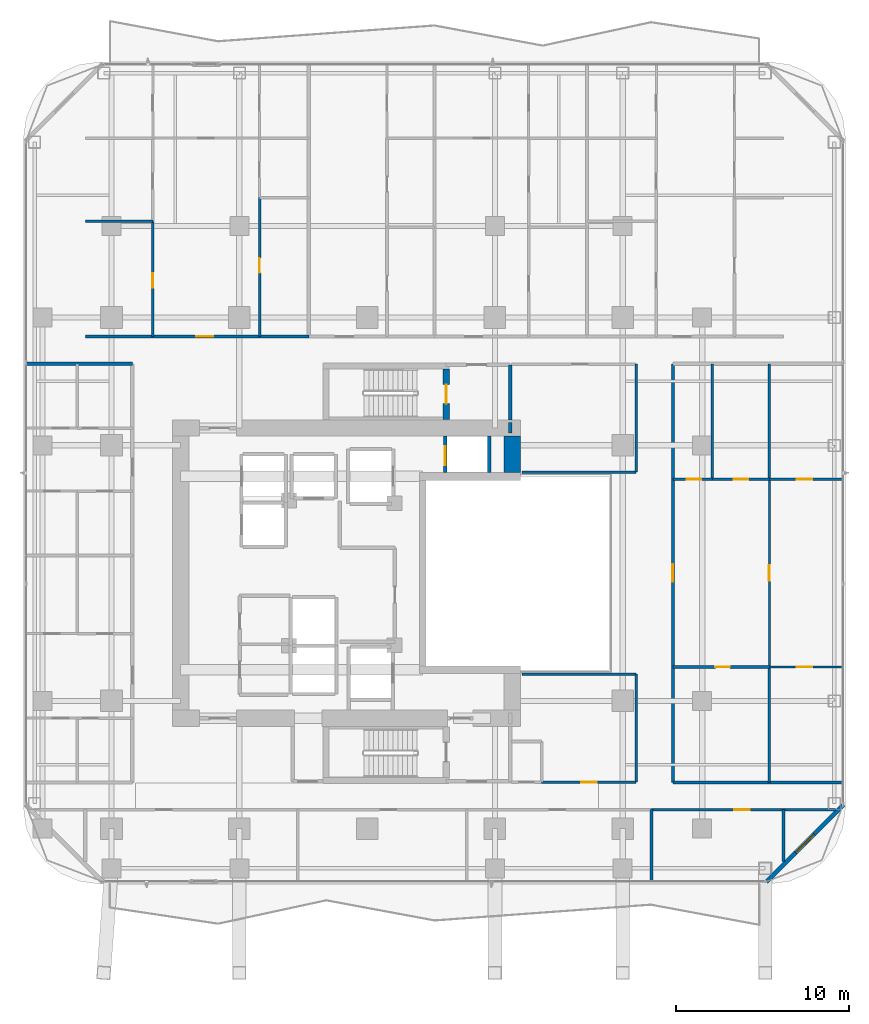
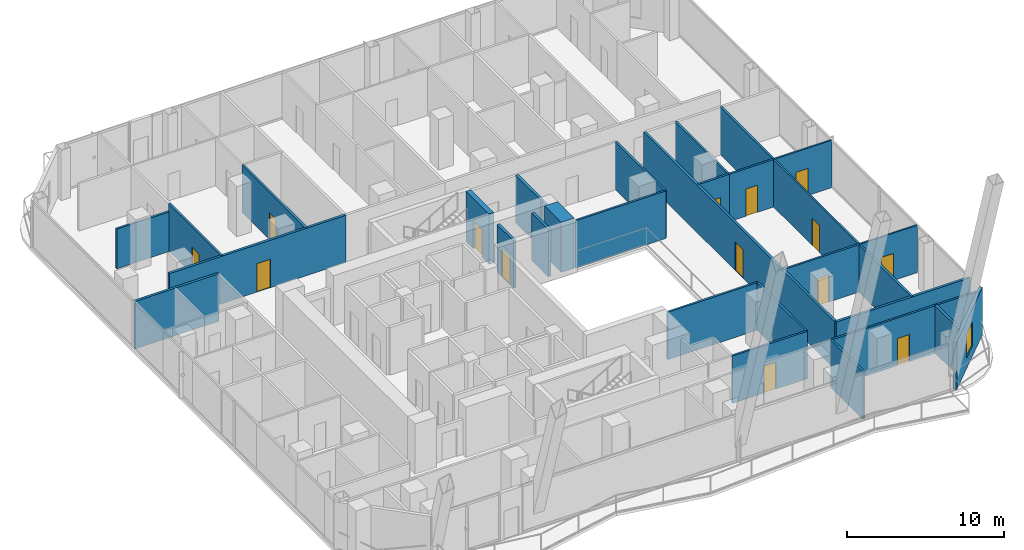
# One storey, part 21 of 30: 31 walls, 14 doors, 1 window, 15 openings.
"""IFC4 building model written with IfcOpenShell, lengths in metres."""

from ifc_helpers import new_model, si_unit, direction, frame, frame_2d, origin, place, context, subcontext, project, spatial, rectangle, extrude, material, layer, layer_set, type_object, element, fill, save


model = new_model("IFC4")

# Units and contexts
model_context = context("Model", 3, precision=1e-05, world=origin(), true_north=direction((0.0, 1.0)))
body_context = subcontext(model_context, "Body", "Model", "MODEL_VIEW")
ifc_project = project(units=[si_unit("LENGTHUNIT", "METRE"), si_unit("AREAUNIT", "SQUARE_METRE"), si_unit("VOLUMEUNIT", "CUBIC_METRE"), si_unit("PLANEANGLEUNIT", "RADIAN"), si_unit("MASSUNIT", "GRAM", prefix="KILO")], contexts=[model_context])

# Site, building, storey
site_placement = place(None, origin())
site = spatial("IfcSite", under=ifc_project, at=site_placement, CompositionType="ELEMENT")
building_placement = place(site_placement, origin())
building = spatial("IfcBuilding", under=site, at=building_placement, Name="Khorvyn Point Tower", CompositionType="ELEMENT")
storey_placement = place(building_placement, frame((0.0, 0.0, 117.300048828125)))
storey = spatial("IfcBuildingStorey", under=building, at=storey_placement, Name="L29", CompositionType="ELEMENT", Elevation=117.300048828125)

# Wall, opening, door
ifc_material_1 = material(Name="Double acoustic gypsum on twin steel stud", Category="steel")
ifc_layer_1 = layer(ifc_material_1, 0.179931640625)
ifc_layer_set_1 = layer_set([ifc_layer_1], Name="Acoustic Double-Stud Apartment Demising Wall 180")
wall_type_1 = type_object("IfcWallType", Name="Acoustic Double-Stud Apartment Demising Wall 180", PredefinedType="PARTITIONING", material=ifc_layer_set_1)
wall_1_placement = place(storey_placement, frame((-16.320068359375, 13.699951171875, 0.0), z_axis=(0.0, 0.0, 1.0), x_axis=(1.0, 0.0, 0.0)))
wall_1 = element("IfcWall", 1, at=wall_1_placement, inside=storey, type_object=wall_type_1, Name="Wall", PredefinedType="PARTITIONING", context=body_context, shape_type="SweptSolid", body=[
    extrude(rectangle(XDim=12.941162109375, YDim=0.179931640625, at=frame_2d((6.470703125, 0.0))), origin(), (0.0, 0.0, 1.0), 3.679931640625),
])
opening_1_placement = place(wall_1_placement, frame((6.41748046875, 0.0, 0.0)))
opening_1 = element("IfcOpeningElement", 2, at=opening_1_placement, cuts=wall_1, Name="Opening ID-AP60", PredefinedType="OPENING", context=body_context, shape_type="SweptSolid", body=[
    extrude(rectangle(XDim=1.0, YDim=2.199951171875, at=frame_2d((0.5, 1.10009765625))), frame((0.0, 0.099853515625, 0.0), z_axis=(0.0, -1.0, 0.0), x_axis=(1.0, 0.0, 0.0)), (0.0, 0.0, 1.0), 0.199951171875),
])
ifc_material_2 = material(Name="Engineered hardwood fire-rated leaf", Category="wood")
door_type_1 = type_object("IfcDoorType", Name="Acoustic Solid-Core Timber Apartment Entrance Door 1000x2200", OperationType="NOTDEFINED", PredefinedType="DOOR", material=ifc_material_2)
door_1_placement = place(opening_1_placement, origin())
door_1 = element("IfcDoor", 3, at=door_1_placement, inside=storey, type_object=door_type_1, Name="Door", OperationType="SINGLE_SWING_LEFT", OverallHeight=2.199951171875, OverallWidth=1.0, PredefinedType="DOOR", context=body_context, shape_type="SweptSolid", body=[
    extrude(rectangle(XDim=1.0, YDim=2.199951171875, at=frame_2d((0.5, 1.10009765625))), frame((0.0, 0.02490234375, 0.0), z_axis=(0.0, -1.0, 0.0), x_axis=(1.0, 0.0, 0.0)), (0.0, 0.0, 1.0), 0.050048828125),
])
fill(opening_1, door_1)

wall_2_placement = place(storey_placement, frame((17.699951171875, -12.1201171875, 0.0), z_axis=(0.0, 0.0, 1.0), x_axis=(0.0, 1.0, 0.0)))
wall_2 = element("IfcWall", 4, at=wall_2_placement, inside=storey, type_object=wall_type_1, Name="Wall", PredefinedType="PARTITIONING", context=body_context, shape_type="SweptSolid", body=[
    extrude(rectangle(XDim=24.240234375, YDim=0.179931640625, at=frame_2d((12.1201171875, 0.0))), origin(), (0.0, 0.0, 1.0), 3.679931640625),
])
opening_2_placement = place(wall_2_placement, frame((11.6201171875, 0.0, 0.0)))
opening_2 = element("IfcOpeningElement", 5, at=opening_2_placement, cuts=wall_2, Name="Opening ID-AP60", PredefinedType="OPENING", context=body_context, shape_type="SweptSolid", body=[
    extrude(rectangle(XDim=1.0, YDim=2.199951171875, at=frame_2d((0.5, 1.10009765625))), frame((0.0, 0.099853515625, 0.0), z_axis=(0.0, -1.0, 0.0), x_axis=(1.0, 0.0, 0.0)), (0.0, 0.0, 1.0), 0.199951171875),
])
door_2_placement = place(opening_2_placement, origin())
door_2 = element("IfcDoor", 6, at=door_2_placement, inside=storey, type_object=door_type_1, Name="Door", OperationType="SINGLE_SWING_LEFT", OverallHeight=2.199951171875, OverallWidth=1.0, PredefinedType="DOOR", context=body_context, shape_type="SweptSolid", body=[
    extrude(rectangle(XDim=1.0, YDim=2.199951171875, at=frame_2d((0.5, 1.10009765625))), frame((0.0, 0.02490234375, 0.0), z_axis=(0.0, -1.0, 0.0), x_axis=(1.0, 0.0, 0.0)), (0.0, 0.0, 1.0), 0.050048828125),
])
fill(opening_2, door_2)

# Walls
wall_3_placement = place(storey_placement, frame((24.1201171875, -16.7099609375, 0.0), z_axis=(0.0, 0.0, 1.0), x_axis=(0.0, 1.0, 0.0)))
element("IfcWall", 7, at=wall_3_placement, inside=storey, type_object=wall_type_1, Name="Wall", PredefinedType="PARTITIONING", context=body_context, shape_type="SweptSolid", body=[
    extrude(rectangle(XDim=3.010009765625, YDim=0.179931640625, at=frame_2d((1.5048828125, 0.0))), origin(), (0.0, 0.0, 1.0), 3.679931640625),
])
wall_4_placement = place(storey_placement, frame((-19.72998046875, 12.1201171875, 0.0), z_axis=(0.0, 0.0, 1.0), x_axis=(1.0, 0.0, 0.0)))
element("IfcWall", 8, at=wall_4_placement, inside=storey, type_object=wall_type_1, Name="Wall", PredefinedType="PARTITIONING", context=body_context, shape_type="SweptSolid", body=[
    extrude(rectangle(XDim=6.1298828125, YDim=0.179931640625, at=frame_2d((3.06494140625, 0.0))), origin(), (0.0, 0.0, 1.0), 3.679931640625),
])
wall_5_placement = place(storey_placement, frame((17.699951171875, -12.1201171875, 0.0), z_axis=(0.0, 0.0, 1.0), x_axis=(1.0, 0.0, 0.0)))
element("IfcWall", 9, at=wall_5_placement, inside=storey, type_object=wall_type_1, Name="Wall", PredefinedType="PARTITIONING", context=body_context, shape_type="SweptSolid", body=[
    extrude(rectangle(XDim=9.830078125, YDim=0.179931640625, at=frame_2d((4.9150390625, 0.0))), origin(), (0.0, 0.0, 1.0), 3.679931640625),
])

# Wall, opening, window
ifc_material_3 = material(Name="Pale anodised aluminium rainscreen on steel stud", Category="steel")
ifc_layer_2 = layer(ifc_material_3, 0.239990234375)
ifc_layer_set_2 = layer_set([ifc_layer_2], Name="Anodised Aluminium Insulated Corner Spandrel Wall 240")
wall_type_2 = type_object("IfcWallType", Name="Anodised Aluminium Insulated Corner Spandrel Wall 240", PredefinedType="SOLIDWALL", material=ifc_layer_set_2)
wall_6_placement = place(storey_placement, frame((27.59228515625, -13.40771484375, 0.0), z_axis=(0.0, 0.0, 1.0), x_axis=(-0.707106781187, -0.707106781187, 0.0)))
wall_6 = element("IfcWall", 10, at=wall_6_placement, inside=storey, type_object=wall_type_2, Name="L29 Rounded Corner Wall SE", PredefinedType="SOLIDWALL", context=body_context, shape_type="SweptSolid", body=[
    extrude(rectangle(XDim=6.34228515625, YDim=0.239990234375, at=frame_2d((3.171142578125, 0.0))), origin(), (0.0, 0.0, 1.0), 3.679931640625),
])
opening_3_placement = place(wall_6_placement, frame((2.42138671875, 0.0, 0.800048828125)))
opening_3 = element("IfcOpeningElement", 11, at=opening_3_placement, cuts=wall_6, Name="Opening WN-1518", PredefinedType="OPENING", context=body_context, shape_type="SweptSolid", body=[
    extrude(rectangle(XDim=1.5, YDim=1.85009765625, at=frame_2d((0.75, 0.925048828125))), frame((0.0, 0.1298828125, 0.0), z_axis=(0.0, -1.0, 0.0), x_axis=(1.0, 0.0, 0.0)), (0.0, 0.0, 1.0), 0.260009765625),
])
ifc_material_4 = material(Name="Anodised aluminium 6063-T6 and laminated Low-E glass", Category="aluminium")
window_type = type_object("IfcWindowType", Name="Anodised Aluminium Rounded-Corner Panoramic Window 1500x1850", PartitioningType="SINGLE_PANEL", PredefinedType="WINDOW", material=ifc_material_4)
window_placement = place(opening_3_placement, origin())
window = element("IfcWindow", 12, at=window_placement, inside=storey, type_object=window_type, Name="L29 Corner Panoramic Window SE", OverallHeight=1.85009765625, OverallWidth=1.5, PartitioningType="SINGLE_PANEL", PredefinedType="WINDOW", context=body_context, shape_type="SweptSolid", body=[
    extrude(rectangle(XDim=1.5, YDim=1.85009765625, at=frame_2d((0.75, 0.925048828125))), frame((0.0, 0.030029296875, 0.0), z_axis=(0.0, -1.0, 0.0), x_axis=(1.0, 0.0, 0.0)), (0.0, 0.0, 1.0), 0.06005859375),
])
fill(opening_3, window)

# Walls
ifc_material_5 = material(Name="Concrete C40/50", Category="concrete")
ifc_layer_3 = layer(ifc_material_5, 0.199951171875)
ifc_layer_set_3 = layer_set([ifc_layer_3], Name="Concrete C40/50 Fire-Lobby Compartment Wall 200")
wall_type_3 = type_object("IfcWallType", Name="Concrete C40/50 Fire-Lobby Compartment Wall 200", PredefinedType="SOLIDWALL", material=ifc_layer_set_3)
wall_7_placement = place(storey_placement, frame((8.280029296875, 8.875, 0.0), z_axis=(0.0, 0.0, 1.0), x_axis=(0.0, 1.0, 0.0)))
element("IfcWall", 13, at=wall_7_placement, inside=storey, type_object=wall_type_3, Name="Wall", PredefinedType="SOLIDWALL", context=body_context, shape_type="SweptSolid", body=[
    extrude(rectangle(XDim=3.18505859375, YDim=0.199951171875, at=frame_2d((1.592529296875, 0.0))), origin(), (0.0, 0.0, 1.0), 3.679931640625),
])
wall_8_placement = place(storey_placement, frame((8.280029296875, 8.10009765625, 0.0), z_axis=(0.0, 0.0, 1.0), x_axis=(0.0, 1.0, 0.0)))
element("IfcWall", 14, at=wall_8_placement, inside=storey, type_object=wall_type_3, Name="Wall", PredefinedType="SOLIDWALL", context=body_context, shape_type="SweptSolid", body=[
    extrude(rectangle(XDim=0.625, YDim=0.199951171875, at=frame_2d((0.3125, 0.0))), origin(), (0.0, 0.0, 1.0), 3.679931640625),
])

# Wall, opening, door
ifc_layer_4 = layer(ifc_material_5, 0.35009765625)
ifc_layer_set_4 = layer_set([ifc_layer_4], Name="Concrete C40/50 Stair Shaft Structural Wall 350")
wall_type_4 = type_object("IfcWallType", Name="Concrete C40/50 Stair Shaft Structural Wall 350", PredefinedType="SHEAR", material=ifc_layer_set_4)
wall_9_placement = place(storey_placement, frame((4.580078125, 11.824951171875, 0.0), z_axis=(0.0, 0.0, 1.0), x_axis=(0.0, -1.0, 0.0)))
wall_9 = element("IfcWall", 15, at=wall_9_placement, inside=storey, type_object=wall_type_4, Name="L29 ST-02 East Landing Door Wall", PredefinedType="SHEAR", context=body_context, shape_type="SweptSolid", body=[
    extrude(rectangle(XDim=2.925048828125, YDim=0.35009765625, at=frame_2d((1.46240234375, 0.0))), origin(), (0.0, 0.0, 1.0), 3.89990234375),
])
opening_4_placement = place(wall_9_placement, frame((0.91259765625, 0.0, 0.0)))
opening_4 = element("IfcOpeningElement", 16, at=opening_4_placement, cuts=wall_9, Name="Opening ID-FL90", PredefinedType="OPENING", context=body_context, shape_type="SweptSolid", body=[
    extrude(rectangle(XDim=1.10009765625, YDim=2.14990234375, at=frame_2d((0.550048828125, 1.074951171875))), frame((0.0, 0.18505859375, 0.0), z_axis=(0.0, -1.0, 0.0), x_axis=(1.0, 0.0, 0.0)), (0.0, 0.0, 1.0), 0.3701171875),
])
ifc_material_6 = material(Name="Galvanised powder-coated steel", Category="steel")
door_type_2 = type_object("IfcDoorType", Name="Fire-Rated Steel Lobby and Stair Door 1100x2150", OperationType="NOTDEFINED", PredefinedType="DOOR", material=ifc_material_6)
door_3_placement = place(opening_4_placement, origin())
door_3 = element("IfcDoor", 17, at=door_3_placement, inside=storey, type_object=door_type_2, Name="L29 ST-02 Smokeproof Landing Door", OperationType="SINGLE_SWING_RIGHT", OverallHeight=2.14990234375, OverallWidth=1.10009765625, PredefinedType="DOOR", context=body_context, shape_type="SweptSolid", body=[
    extrude(rectangle(XDim=1.10009765625, YDim=2.14990234375, at=frame_2d((0.550048828125, 1.074951171875))), frame((0.0, 0.02490234375, 0.0), z_axis=(0.0, -1.0, 0.0), x_axis=(1.0, 0.0, 0.0)), (0.0, 0.0, 1.0), 0.050048828125),
])
fill(opening_4, door_3)

ifc_layer_5 = layer(ifc_material_5, 0.199951171875)
ifc_layer_set_5 = layer_set([ifc_layer_5], Name="Concrete C40/50 Structural Hoistway and Stair Shaft Wall 200")
wall_type_5 = type_object("IfcWallType", Name="Concrete C40/50 Structural Hoistway and Stair Shaft Wall 200", PredefinedType="SHEAR", material=ifc_layer_set_5)
wall_10_placement = place(storey_placement, frame((4.52490234375, 5.824951171875, 0.0), z_axis=(0.0, 0.0, 1.0), x_axis=(0.0, 1.0, 0.0)))
wall_10 = element("IfcWall", 18, at=wall_10_placement, inside=storey, type_object=wall_type_5, Name="Wall", PredefinedType="SHEAR", context=body_context, shape_type="SweptSolid", body=[
    extrude(rectangle(XDim=2.10009765625, YDim=0.199951171875, at=frame_2d((1.050048828125, 0.0))), origin(), (0.0, 0.0, 1.0), 3.679931640625),
])
opening_5_placement = place(wall_10_placement, frame((0.425048828125, 0.0, 0.0)))
opening_5 = element("IfcOpeningElement", 19, at=opening_5_placement, cuts=wall_10, Name="Opening LD-1122", PredefinedType="OPENING", context=body_context, shape_type="SweptSolid", body=[
    extrude(rectangle(XDim=1.10009765625, YDim=2.199951171875, at=frame_2d((0.550048828125, 1.10009765625))), frame((0.0, 0.10986328125, 0.0), z_axis=(0.0, -1.0, 0.0), x_axis=(1.0, 0.0, 0.0)), (0.0, 0.0, 1.0), 0.219970703125),
])
ifc_material_7 = material(Name="Stainless steel 1.4301", Category="steel")
door_type_3 = type_object("IfcDoorType", Name="Stainless Steel Automatic Sliding Lift Landing Door 1100x2200", OperationType="SLIDING_TO_LEFT", PredefinedType="DOOR", material=ifc_material_7)
door_4_placement = place(opening_5_placement, origin())
door_4 = element("IfcDoor", 20, at=door_4_placement, inside=storey, type_object=door_type_3, Name="L29 FF-02 Sliding Lift Landing Door", OperationType="SLIDING_TO_LEFT", OverallHeight=2.199951171875, OverallWidth=1.10009765625, PredefinedType="DOOR", context=body_context, shape_type="SweptSolid", body=[
    extrude(rectangle(XDim=1.10009765625, YDim=2.199951171875, at=frame_2d((0.550048828125, 1.10009765625))), frame((0.0, 0.02490234375, 0.0), z_axis=(0.0, -1.0, 0.0), x_axis=(1.0, 0.0, 0.0)), (0.0, 0.0, 1.0), 0.050048828125),
])
fill(opening_5, door_4)

# Walls
wall_11_placement = place(storey_placement, frame((7.074951171875, 5.824951171875, 0.0), z_axis=(0.0, 0.0, 1.0), x_axis=(0.0, 1.0, 0.0)))
element("IfcWall", 21, at=wall_11_placement, inside=storey, type_object=wall_type_5, Name="Wall", PredefinedType="SHEAR", context=body_context, shape_type="SweptSolid", body=[
    extrude(rectangle(XDim=2.10009765625, YDim=0.199951171875, at=frame_2d((1.050048828125, 0.0))), origin(), (0.0, 0.0, 1.0), 3.679931640625),
])
ifc_material_8 = material(Name="Concrete C50/60", Category="concrete")
ifc_layer_6 = layer(ifc_material_8, 0.949951171875)
ifc_layer_set_6 = layer_set([ifc_layer_6], Name="Concrete C50/60 Core Shear Wall 950")
wall_type_6 = type_object("IfcWallType", Name="Concrete C50/60 Core Shear Wall 950", PredefinedType="SHEAR", material=ifc_layer_set_6)
wall_12_placement = place(storey_placement, frame((8.39990234375, 5.824951171875, 0.0), z_axis=(0.0, 0.0, 1.0), x_axis=(0.0, 1.0, 0.0)))
element("IfcWall", 22, at=wall_12_placement, inside=storey, type_object=wall_type_6, Name="Wall", PredefinedType="SHEAR", context=body_context, shape_type="SweptSolid", body=[
    extrude(rectangle(XDim=2.10009765625, YDim=0.949951171875, at=frame_2d((1.050048828125, 0.0))), origin(), (0.0, 0.0, 1.0), 3.89990234375),
])

# Wall, opening, door
ifc_material_9 = material(Name="Gypsum plasterboard on steel stud", Category="steel")
ifc_layer_7 = layer(ifc_material_9, 0.1201171875)
ifc_layer_set_7 = layer_set([ifc_layer_7], Name="Gypsum Acoustic Stud Room Partition Wall 120")
wall_type_7 = type_object("IfcWallType", Name="Gypsum Acoustic Stud Room Partition Wall 120", PredefinedType="PARTITIONING", material=ifc_layer_set_7)
wall_13_placement = place(storey_placement, frame((23.2900390625, -5.43603515625, 0.0), z_axis=(0.0, 0.0, 1.0), x_axis=(0.0, 1.0, 0.0)))
wall_13 = element("IfcWall", 23, at=wall_13_placement, inside=storey, type_object=wall_type_7, Name="Wall", PredefinedType="PARTITIONING", context=body_context, shape_type="SweptSolid", body=[
    extrude(rectangle(XDim=10.8720703125, YDim=0.1201171875, at=frame_2d((5.43603515625, 0.0))), origin(), (0.0, 0.0, 1.0), 3.679931640625),
])
opening_6_placement = place(wall_13_placement, frame((4.986083984375, 0.0, 0.0)))
opening_6 = element("IfcOpeningElement", 24, at=opening_6_placement, cuts=wall_13, Name="Opening ID-RM90", PredefinedType="OPENING", context=body_context, shape_type="SweptSolid", body=[
    extrude(rectangle(XDim=0.89990234375, YDim=2.10009765625, at=frame_2d((0.449951171875, 1.050048828125))), frame((0.0, 0.070068359375, 0.0), z_axis=(0.0, -1.0, 0.0), x_axis=(1.0, 0.0, 0.0)), (0.0, 0.0, 1.0), 0.14013671875),
])
ifc_material_10 = material(Name="Engineered oak veneer timber", Category="wood")
door_type_4 = type_object("IfcDoorType", Name="Flush Engineered Timber Room Door 900x2100", OperationType="NOTDEFINED", PredefinedType="DOOR", material=ifc_material_10)
door_5_placement = place(opening_6_placement, origin())
door_5 = element("IfcDoor", 25, at=door_5_placement, inside=storey, type_object=door_type_4, Name="Door", OperationType="SINGLE_SWING_RIGHT", OverallHeight=2.10009765625, OverallWidth=0.89990234375, PredefinedType="DOOR", context=body_context, shape_type="SweptSolid", body=[
    extrude(rectangle(XDim=0.89990234375, YDim=2.10009765625, at=frame_2d((0.449951171875, 1.050048828125))), frame((0.0, 0.02490234375, 0.0), z_axis=(0.0, -1.0, 0.0), x_axis=(1.0, 0.0, 0.0)), (0.0, 0.0, 1.0), 0.050048828125),
])
fill(opening_6, door_5)

wall_14_placement = place(storey_placement, frame((23.2900390625, -5.43603515625, 0.0), z_axis=(0.0, 0.0, 1.0), x_axis=(1.0, 0.0, 0.0)))
wall_14 = element("IfcWall", 26, at=wall_14_placement, inside=storey, type_object=wall_type_7, Name="Wall", PredefinedType="PARTITIONING", context=body_context, shape_type="SweptSolid", body=[
    extrude(rectangle(XDim=4.239990234375, YDim=0.1201171875, at=frame_2d((2.1201171875, 0.0))), origin(), (0.0, 0.0, 1.0), 3.679931640625),
])
opening_7_placement = place(wall_14_placement, frame((1.581298828125, 0.0, 0.0)))
opening_7 = element("IfcOpeningElement", 27, at=opening_7_placement, cuts=wall_14, Name="Opening ID-RM90", PredefinedType="OPENING", context=body_context, shape_type="SweptSolid", body=[
    extrude(rectangle(XDim=0.89990234375, YDim=2.10009765625, at=frame_2d((0.449951171875, 1.050048828125))), frame((0.0, 0.070068359375, 0.0), z_axis=(0.0, -1.0, 0.0), x_axis=(1.0, 0.0, 0.0)), (0.0, 0.0, 1.0), 0.14013671875),
])
door_6_placement = place(opening_7_placement, origin())
door_6 = element("IfcDoor", 28, at=door_6_placement, inside=storey, type_object=door_type_4, Name="Door", OperationType="SINGLE_SWING_RIGHT", OverallHeight=2.10009765625, OverallWidth=0.89990234375, PredefinedType="DOOR", context=body_context, shape_type="SweptSolid", body=[
    extrude(rectangle(XDim=0.89990234375, YDim=2.10009765625, at=frame_2d((0.449951171875, 1.050048828125))), frame((0.0, 0.02490234375, 0.0), z_axis=(0.0, -1.0, 0.0), x_axis=(1.0, 0.0, 0.0)), (0.0, 0.0, 1.0), 0.050048828125),
])
fill(opening_7, door_6)

wall_15_placement = place(storey_placement, frame((23.2900390625, 5.43603515625, 0.0), z_axis=(0.0, 0.0, 1.0), x_axis=(1.0, 0.0, 0.0)))
wall_15 = element("IfcWall", 29, at=wall_15_placement, inside=storey, type_object=wall_type_7, Name="Wall", PredefinedType="PARTITIONING", context=body_context, shape_type="SweptSolid", body=[
    extrude(rectangle(XDim=4.239990234375, YDim=0.1201171875, at=frame_2d((2.1201171875, 0.0))), origin(), (0.0, 0.0, 1.0), 3.679931640625),
])
opening_8_placement = place(wall_15_placement, frame((1.581298828125, 0.0, 0.0)))
opening_8 = element("IfcOpeningElement", 30, at=opening_8_placement, cuts=wall_15, Name="Opening ID-RM90", PredefinedType="OPENING", context=body_context, shape_type="SweptSolid", body=[
    extrude(rectangle(XDim=0.89990234375, YDim=2.10009765625, at=frame_2d((0.449951171875, 1.050048828125))), frame((0.0, 0.070068359375, 0.0), z_axis=(0.0, -1.0, 0.0), x_axis=(1.0, 0.0, 0.0)), (0.0, 0.0, 1.0), 0.14013671875),
])
door_7_placement = place(opening_8_placement, origin())
door_7 = element("IfcDoor", 31, at=door_7_placement, inside=storey, type_object=door_type_4, Name="Door", OperationType="SINGLE_SWING_LEFT", OverallHeight=2.10009765625, OverallWidth=0.89990234375, PredefinedType="DOOR", context=body_context, shape_type="SweptSolid", body=[
    extrude(rectangle(XDim=0.89990234375, YDim=2.10009765625, at=frame_2d((0.449951171875, 1.050048828125))), frame((0.0, 0.02490234375, 0.0), z_axis=(0.0, -1.0, 0.0), x_axis=(1.0, 0.0, 0.0)), (0.0, 0.0, 1.0), 0.050048828125),
])
fill(opening_8, door_7)

ifc_material_11 = material(Name="Moisture-resistant gypsum and cement board", Category="gypsum")
ifc_layer_8 = layer(ifc_material_11, 0.14990234375)
ifc_layer_set_8 = layer_set([ifc_layer_8], Name="Moisture-Resistant Wet-Room Partition Wall 150")
wall_type_8 = type_object("IfcWallType", Name="Moisture-Resistant Wet-Room Partition Wall 150", PredefinedType="PARTITIONING", material=ifc_layer_set_8)
wall_16_placement = place(storey_placement, frame((10.10009765625, -12.10009765625, 0.0), z_axis=(0.0, 0.0, 1.0), x_axis=(1.0, 0.0, 0.0)))
wall_16 = element("IfcWall", 32, at=wall_16_placement, inside=storey, type_object=wall_type_8, Name="Wall", PredefinedType="PARTITIONING", context=body_context, shape_type="SweptSolid", body=[
    extrude(rectangle(XDim=5.47998046875, YDim=0.14990234375, at=frame_2d((2.739990234375, 0.0))), origin(), (0.0, 0.0, 1.0), 3.679931640625),
])
opening_9_placement = place(wall_16_placement, frame((2.2900390625, 0.0, 0.0)))
opening_9 = element("IfcOpeningElement", 33, at=opening_9_placement, cuts=wall_16, Name="Opening ID-RM90", PredefinedType="OPENING", context=body_context, shape_type="SweptSolid", body=[
    extrude(rectangle(XDim=0.89990234375, YDim=2.10009765625, at=frame_2d((0.449951171875, 1.050048828125))), frame((0.0, 0.0849609375, 0.0), z_axis=(0.0, -1.0, 0.0), x_axis=(1.0, 0.0, 0.0)), (0.0, 0.0, 1.0), 0.169921875),
])
door_8_placement = place(opening_9_placement, origin())
door_8 = element("IfcDoor", 34, at=door_8_placement, inside=storey, type_object=door_type_4, Name="Door", OperationType="SINGLE_SWING_LEFT", OverallHeight=2.10009765625, OverallWidth=0.89990234375, PredefinedType="DOOR", context=body_context, shape_type="SweptSolid", body=[
    extrude(rectangle(XDim=0.89990234375, YDim=2.10009765625, at=frame_2d((0.449951171875, 1.050048828125))), frame((0.0, 0.02490234375, 0.0), z_axis=(0.0, -1.0, 0.0), x_axis=(1.0, 0.0, 0.0)), (0.0, 0.0, 1.0), 0.050048828125),
])
fill(opening_9, door_8)

wall_17_placement = place(storey_placement, frame((-12.407958984375, 13.699951171875, 0.0), z_axis=(0.0, 0.0, 1.0), x_axis=(0.0, 1.0, 0.0)))
wall_17 = element("IfcWall", 35, at=wall_17_placement, inside=storey, type_object=wall_type_8, Name="Wall", PredefinedType="PARTITIONING", context=body_context, shape_type="SweptSolid", body=[
    extrude(rectangle(XDim=6.6640625, YDim=0.14990234375, at=frame_2d((3.33203125, 0.0))), origin(), (0.0, 0.0, 1.0), 3.679931640625),
])
opening_10_placement = place(wall_17_placement, frame((2.818359375, 0.0, 0.0)))
opening_10 = element("IfcOpeningElement", 36, at=opening_10_placement, cuts=wall_17, Name="Opening ID-WC85", PredefinedType="OPENING", context=body_context, shape_type="SweptSolid", body=[
    extrude(rectangle(XDim=0.85009765625, YDim=2.10009765625, at=frame_2d((0.425048828125, 1.050048828125))), frame((0.0, 0.0849609375, 0.0), z_axis=(0.0, -1.0, 0.0), x_axis=(1.0, 0.0, 0.0)), (0.0, 0.0, 1.0), 0.169921875),
])
ifc_material_12 = material(Name="High-pressure laminate on moisture-resistant core", Category="wood")
door_type_5 = type_object("IfcDoorType", Name="Moisture-Resistant Accessible Washroom Door 850x2100", OperationType="NOTDEFINED", PredefinedType="DOOR", material=ifc_material_12)
door_9_placement = place(opening_10_placement, origin())
door_9 = element("IfcDoor", 37, at=door_9_placement, inside=storey, type_object=door_type_5, Name="Door", OperationType="SINGLE_SWING_LEFT", OverallHeight=2.10009765625, OverallWidth=0.85009765625, PredefinedType="DOOR", context=body_context, shape_type="SweptSolid", body=[
    extrude(rectangle(XDim=0.85009765625, YDim=2.10009765625, at=frame_2d((0.425048828125, 1.050048828125))), frame((0.0, 0.02490234375, 0.0), z_axis=(0.0, -1.0, 0.0), x_axis=(1.0, 0.0, 0.0)), (0.0, 0.0, 1.0), 0.050048828125),
])
fill(opening_10, door_9)

wall_18_placement = place(storey_placement, frame((-6.22900390625, 13.699951171875, 0.0), z_axis=(0.0, 0.0, 1.0), x_axis=(0.0, 1.0, 0.0)))
wall_18 = element("IfcWall", 38, at=wall_18_placement, inside=storey, type_object=wall_type_8, Name="Wall", PredefinedType="PARTITIONING", context=body_context, shape_type="SweptSolid", body=[
    extrude(rectangle(XDim=8.04296875, YDim=0.14990234375, at=frame_2d((4.021484375, 0.0))), origin(), (0.0, 0.0, 1.0), 3.679931640625),
])
opening_11_placement = place(wall_18_placement, frame((3.6845703125, 0.0, 0.0)))
opening_11 = element("IfcOpeningElement", 39, at=opening_11_placement, cuts=wall_18, Name="Opening ID-WC85", PredefinedType="OPENING", context=body_context, shape_type="SweptSolid", body=[
    extrude(rectangle(XDim=0.85009765625, YDim=2.10009765625, at=frame_2d((0.425048828125, 1.050048828125))), frame((0.0, 0.0849609375, 0.0), z_axis=(0.0, -1.0, 0.0), x_axis=(1.0, 0.0, 0.0)), (0.0, 0.0, 1.0), 0.169921875),
])
door_10_placement = place(opening_11_placement, origin())
door_10 = element("IfcDoor", 40, at=door_10_placement, inside=storey, type_object=door_type_5, Name="Door", OperationType="SINGLE_SWING_RIGHT", OverallHeight=2.10009765625, OverallWidth=0.85009765625, PredefinedType="DOOR", context=body_context, shape_type="SweptSolid", body=[
    extrude(rectangle(XDim=0.85009765625, YDim=2.10009765625, at=frame_2d((0.425048828125, 1.050048828125))), frame((0.0, 0.02490234375, 0.0), z_axis=(0.0, -1.0, 0.0), x_axis=(1.0, 0.0, 0.0)), (0.0, 0.0, 1.0), 0.050048828125),
])
fill(opening_11, door_10)

wall_19_placement = place(storey_placement, frame((16.465087890625, -13.699951171875, 0.0), z_axis=(0.0, 0.0, 1.0), x_axis=(1.0, 0.0, 0.0)))
wall_19 = element("IfcWall", 41, at=wall_19_placement, inside=storey, type_object=wall_type_8, Name="Wall", PredefinedType="PARTITIONING", context=body_context, shape_type="SweptSolid", body=[
    extrude(rectangle(XDim=10.664794921875, YDim=0.14990234375, at=frame_2d((5.33251953125, 0.0))), origin(), (0.0, 0.0, 1.0), 3.679931640625),
])
opening_12_placement = place(wall_19_placement, frame((4.79345703125, 0.0, 0.0)))
opening_12 = element("IfcOpeningElement", 42, at=opening_12_placement, cuts=wall_19, Name="Opening ID-RM90", PredefinedType="OPENING", context=body_context, shape_type="SweptSolid", body=[
    extrude(rectangle(XDim=0.89990234375, YDim=2.10009765625, at=frame_2d((0.449951171875, 1.050048828125))), frame((0.0, 0.0849609375, 0.0), z_axis=(0.0, -1.0, 0.0), x_axis=(1.0, 0.0, 0.0)), (0.0, 0.0, 1.0), 0.169921875),
])
door_11_placement = place(opening_12_placement, origin())
door_11 = element("IfcDoor", 43, at=door_11_placement, inside=storey, type_object=door_type_4, Name="Door", OperationType="SINGLE_SWING_RIGHT", OverallHeight=2.10009765625, OverallWidth=0.89990234375, PredefinedType="DOOR", context=body_context, shape_type="SweptSolid", body=[
    extrude(rectangle(XDim=0.89990234375, YDim=2.10009765625, at=frame_2d((0.449951171875, 1.050048828125))), frame((0.0, 0.02490234375, 0.0), z_axis=(0.0, -1.0, 0.0), x_axis=(1.0, 0.0, 0.0)), (0.0, 0.0, 1.0), 0.050048828125),
])
fill(opening_12, door_11)

wall_20_placement = place(storey_placement, frame((17.699951171875, 5.43603515625, 0.0), z_axis=(0.0, 0.0, 1.0), x_axis=(1.0, 0.0, 0.0)))
wall_20 = element("IfcWall", 44, at=wall_20_placement, inside=storey, type_object=wall_type_8, Name="Wall", PredefinedType="PARTITIONING", context=body_context, shape_type="SweptSolid", body=[
    extrude(rectangle(XDim=2.2919921875, YDim=0.14990234375, at=frame_2d((1.14599609375, 0.0))), origin(), (0.0, 0.0, 1.0), 3.679931640625),
])
opening_13_placement = place(wall_20_placement, frame((0.801025390625, 0.0, 0.0)))
opening_13 = element("IfcOpeningElement", 45, at=opening_13_placement, cuts=wall_20, Name="Opening ID-WC85", PredefinedType="OPENING", context=body_context, shape_type="SweptSolid", body=[
    extrude(rectangle(XDim=0.85009765625, YDim=2.10009765625, at=frame_2d((0.425048828125, 1.050048828125))), frame((0.0, 0.0849609375, 0.0), z_axis=(0.0, -1.0, 0.0), x_axis=(1.0, 0.0, 0.0)), (0.0, 0.0, 1.0), 0.169921875),
])
door_12_placement = place(opening_13_placement, origin())
door_12 = element("IfcDoor", 46, at=door_12_placement, inside=storey, type_object=door_type_5, Name="Door", OperationType="SINGLE_SWING_LEFT", OverallHeight=2.10009765625, OverallWidth=0.85009765625, PredefinedType="DOOR", context=body_context, shape_type="SweptSolid", body=[
    extrude(rectangle(XDim=0.85009765625, YDim=2.10009765625, at=frame_2d((0.425048828125, 1.050048828125))), frame((0.0, 0.02490234375, 0.0), z_axis=(0.0, -1.0, 0.0), x_axis=(1.0, 0.0, 0.0)), (0.0, 0.0, 1.0), 0.050048828125),
])
fill(opening_13, door_12)

wall_21_placement = place(storey_placement, frame((19.991943359375, 5.43603515625, 0.0), z_axis=(0.0, 0.0, 1.0), x_axis=(1.0, 0.0, 0.0)))
wall_21 = element("IfcWall", 47, at=wall_21_placement, inside=storey, type_object=wall_type_8, Name="Wall", PredefinedType="PARTITIONING", context=body_context, shape_type="SweptSolid", body=[
    extrude(rectangle(XDim=3.298095703125, YDim=0.14990234375, at=frame_2d((1.64892578125, 0.0))), origin(), (0.0, 0.0, 1.0), 3.679931640625),
])
opening_14_placement = place(wall_21_placement, frame((1.22412109375, 0.0, 0.0)))
opening_14 = element("IfcOpeningElement", 48, at=opening_14_placement, cuts=wall_21, Name="Opening ID-WC85", PredefinedType="OPENING", context=body_context, shape_type="SweptSolid", body=[
    extrude(rectangle(XDim=0.85009765625, YDim=2.10009765625, at=frame_2d((0.425048828125, 1.050048828125))), frame((0.0, 0.0849609375, 0.0), z_axis=(0.0, -1.0, 0.0), x_axis=(1.0, 0.0, 0.0)), (0.0, 0.0, 1.0), 0.169921875),
])
door_13_placement = place(opening_14_placement, origin())
door_13 = element("IfcDoor", 49, at=door_13_placement, inside=storey, type_object=door_type_5, Name="Door", OperationType="SINGLE_SWING_RIGHT", OverallHeight=2.10009765625, OverallWidth=0.85009765625, PredefinedType="DOOR", context=body_context, shape_type="SweptSolid", body=[
    extrude(rectangle(XDim=0.85009765625, YDim=2.10009765625, at=frame_2d((0.425048828125, 1.050048828125))), frame((0.0, 0.02490234375, 0.0), z_axis=(0.0, -1.0, 0.0), x_axis=(1.0, 0.0, 0.0)), (0.0, 0.0, 1.0), 0.050048828125),
])
fill(opening_14, door_13)

wall_22_placement = place(storey_placement, frame((17.699951171875, -5.43603515625, 0.0), z_axis=(0.0, 0.0, 1.0), x_axis=(1.0, 0.0, 0.0)))
wall_22 = element("IfcWall", 50, at=wall_22_placement, inside=storey, type_object=wall_type_8, Name="Wall", PredefinedType="PARTITIONING", context=body_context, shape_type="SweptSolid", body=[
    extrude(rectangle(XDim=5.590087890625, YDim=0.14990234375, at=frame_2d((2.794921875, 0.0))), origin(), (0.0, 0.0, 1.0), 3.679931640625),
])
opening_15_placement = place(wall_22_placement, frame((2.45849609375, 0.0, 0.0)))
opening_15 = element("IfcOpeningElement", 51, at=opening_15_placement, cuts=wall_22, Name="Opening ID-WC85", PredefinedType="OPENING", context=body_context, shape_type="SweptSolid", body=[
    extrude(rectangle(XDim=0.85009765625, YDim=2.10009765625, at=frame_2d((0.425048828125, 1.050048828125))), frame((0.0, 0.0849609375, 0.0), z_axis=(0.0, -1.0, 0.0), x_axis=(1.0, 0.0, 0.0)), (0.0, 0.0, 1.0), 0.169921875),
])
door_14_placement = place(opening_15_placement, origin())
door_14 = element("IfcDoor", 52, at=door_14_placement, inside=storey, type_object=door_type_5, Name="Door", OperationType="SINGLE_SWING_LEFT", OverallHeight=2.10009765625, OverallWidth=0.85009765625, PredefinedType="DOOR", context=body_context, shape_type="SweptSolid", body=[
    extrude(rectangle(XDim=0.85009765625, YDim=2.10009765625, at=frame_2d((0.425048828125, 1.050048828125))), frame((0.0, 0.02490234375, 0.0), z_axis=(0.0, -1.0, 0.0), x_axis=(1.0, 0.0, 0.0)), (0.0, 0.0, 1.0), 0.050048828125),
])
fill(opening_15, door_14)

# Walls
wall_23_placement = place(storey_placement, frame((15.580078125, -12.10009765625, 0.0), z_axis=(0.0, 0.0, 1.0), x_axis=(0.0, 1.0, 0.0)))
element("IfcWall", 53, at=wall_23_placement, inside=storey, type_object=wall_type_8, Name="Wall", PredefinedType="PARTITIONING", context=body_context, shape_type="SweptSolid", body=[
    extrude(rectangle(XDim=6.25, YDim=0.14990234375, at=frame_2d((3.125, 0.0))), origin(), (0.0, 0.0, 1.0), 3.679931640625),
])
wall_24_placement = place(storey_placement, frame((8.9599609375, -5.85009765625, 0.0), z_axis=(0.0, 0.0, 1.0), x_axis=(1.0, 0.0, 0.0)))
element("IfcWall", 54, at=wall_24_placement, inside=storey, type_object=wall_type_8, Name="Wall", PredefinedType="PARTITIONING", context=body_context, shape_type="SweptSolid", body=[
    extrude(rectangle(XDim=6.6201171875, YDim=0.14990234375, at=frame_2d((3.31005859375, 0.0))), origin(), (0.0, 0.0, 1.0), 3.679931640625),
])
wall_25_placement = place(storey_placement, frame((15.580078125, 5.85009765625, 0.0), z_axis=(0.0, 0.0, 1.0), x_axis=(0.0, 1.0, 0.0)))
element("IfcWall", 55, at=wall_25_placement, inside=storey, type_object=wall_type_8, Name="Wall", PredefinedType="PARTITIONING", context=body_context, shape_type="SweptSolid", body=[
    extrude(rectangle(XDim=6.25, YDim=0.14990234375, at=frame_2d((3.125, 0.0))), origin(), (0.0, 0.0, 1.0), 3.679931640625),
])
wall_26_placement = place(storey_placement, frame((8.9599609375, 5.85009765625, 0.0), z_axis=(0.0, 0.0, 1.0), x_axis=(1.0, 0.0, 0.0)))
element("IfcWall", 56, at=wall_26_placement, inside=storey, type_object=wall_type_8, Name="Wall", PredefinedType="PARTITIONING", context=body_context, shape_type="SweptSolid", body=[
    extrude(rectangle(XDim=6.6201171875, YDim=0.14990234375, at=frame_2d((3.31005859375, 0.0))), origin(), (0.0, 0.0, 1.0), 3.679931640625),
])
wall_27_placement = place(storey_placement, frame((-16.320068359375, 20.364013671875, 0.0), z_axis=(0.0, 0.0, 1.0), x_axis=(1.0, 0.0, 0.0)))
element("IfcWall", 57, at=wall_27_placement, inside=storey, type_object=wall_type_8, Name="Wall", PredefinedType="PARTITIONING", context=body_context, shape_type="SweptSolid", body=[
    extrude(rectangle(XDim=3.912109375, YDim=0.14990234375, at=frame_2d((1.9560546875, 0.0))), origin(), (0.0, 0.0, 1.0), 3.08203125),
])
wall_28_placement = place(storey_placement, frame((16.465087890625, -17.830078125, 0.0), z_axis=(0.0, 0.0, 1.0), x_axis=(0.0, 1.0, 0.0)))
element("IfcWall", 58, at=wall_28_placement, inside=storey, type_object=wall_type_8, Name="Wall", PredefinedType="PARTITIONING", context=body_context, shape_type="SweptSolid", body=[
    extrude(rectangle(XDim=4.130126953125, YDim=0.14990234375, at=frame_2d((2.06494140625, 0.0))), origin(), (0.0, 0.0, 1.0), 3.679931640625),
])
for number, where, z_axis, x_axis, name in (
    (59, (19.991943359375, 5.43603515625, 0.0), (0.0, 0.0, 1.0), (0.0, 1.0, 0.0), "Wall"),
    (60, (23.2900390625, -12.1201171875, 0.0), (0.0, 0.0, 1.0), (0.0, 1.0, 0.0), "Wall"),
    (61, (23.2900390625, 5.43603515625, 0.0), (0.0, 0.0, 1.0), (0.0, 1.0, 0.0), "Wall"),
):
    element("IfcWall", number, at=place(storey_placement, frame(where, z_axis=z_axis, x_axis=x_axis)), inside=storey, type_object=wall_type_8, Name=name, PredefinedType="PARTITIONING", context=body_context, shape_type="SweptSolid", body=[
        extrude(rectangle(XDim=6.68408203125, YDim=0.14990234375, at=frame_2d((3.342041015625, 0.0))), origin(), (0.0, 0.0, 1.0), 3.679931640625),
    ])

save(model, "model.ifc")
